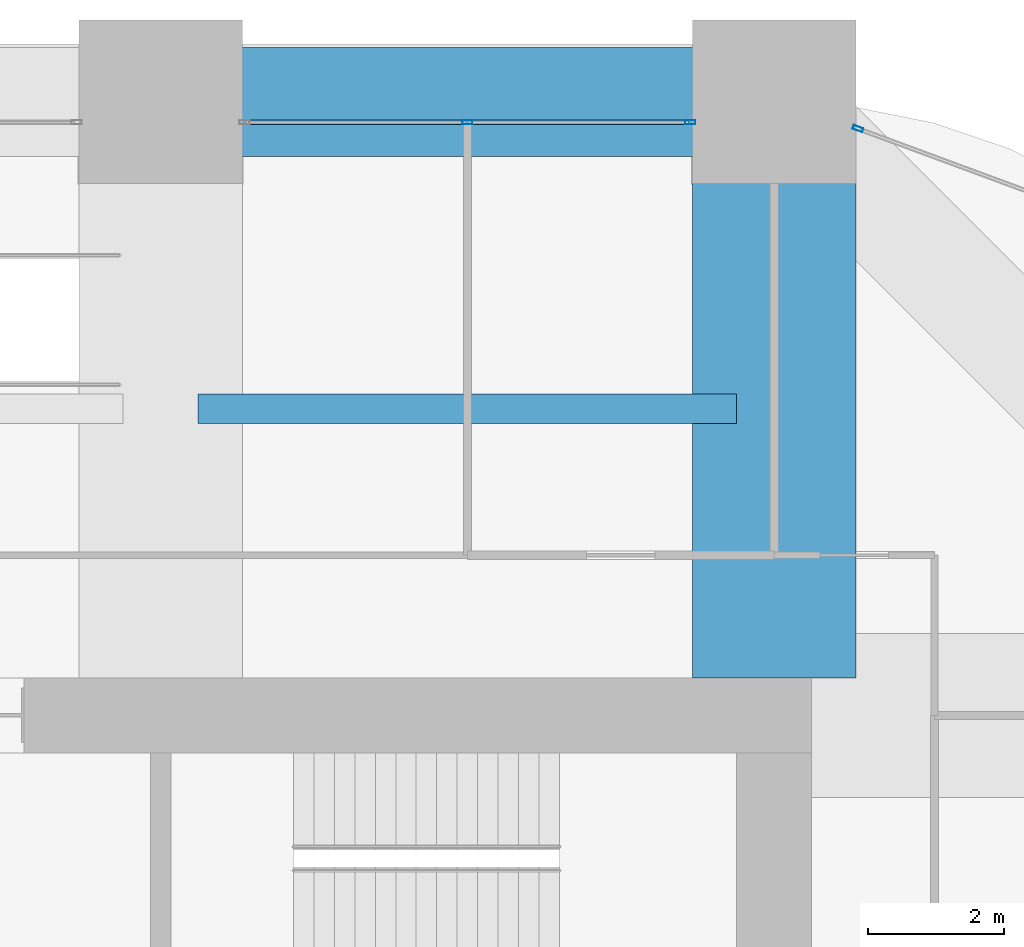
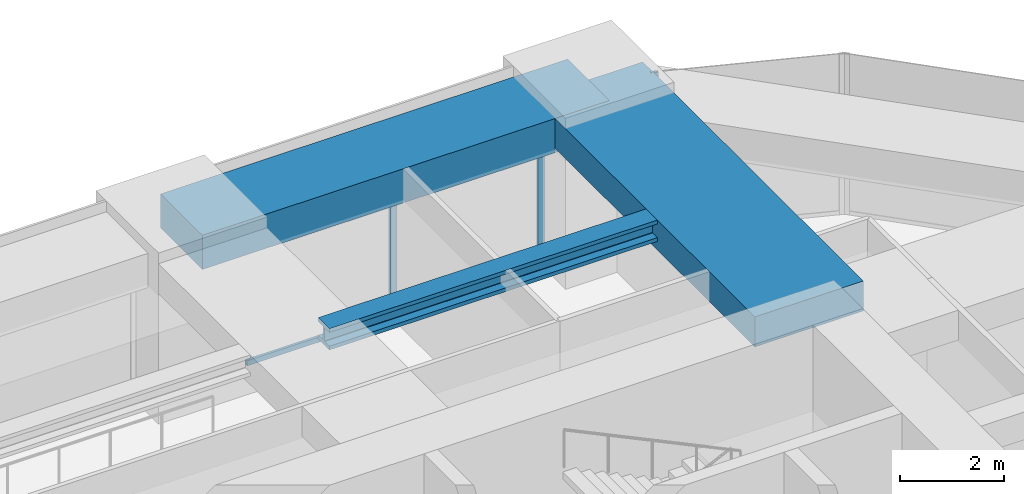
# One storey, part 26 of 35: 4 members, 3 beams, 2 elements without a shape of their own.
"""IFC4 building model written with IfcOpenShell, lengths in metres."""

from ifc_helpers import new_model, si_unit, direction, frame, origin, origin_2d, place, context, subcontext, project, spatial, rectangle, hollow_rectangle, i_section, extrude, material, material_profile, profile_set, type_object, element, aggregate, save


model = new_model("IFC4")

# Units and contexts
model_context = context("Model", 3, precision=1e-05, world=origin(), true_north=direction((0.0, 1.0)))
body_context = subcontext(model_context, "Body", "Model", "MODEL_VIEW")
ifc_project = project(units=[si_unit("LENGTHUNIT", "METRE"), si_unit("AREAUNIT", "SQUARE_METRE"), si_unit("VOLUMEUNIT", "CUBIC_METRE"), si_unit("PLANEANGLEUNIT", "RADIAN"), si_unit("MASSUNIT", "GRAM", prefix="KILO")], contexts=[model_context])

# Site, building, storey
site_placement = place(None, origin())
site = spatial("IfcSite", under=ifc_project, at=site_placement, CompositionType="ELEMENT")
building_placement = place(site_placement, origin())
building = spatial("IfcBuilding", under=site, at=building_placement, Name="Zorevar Civic Tower", CompositionType="ELEMENT")
storey_placement = place(building_placement, frame((0.0, 0.0, 218.199951171875)))
storey = spatial("IfcBuildingStorey", under=building, at=storey_placement, Name="L53", CompositionType="ELEMENT", Elevation=218.199951171875)

# Beam
ifc_material_1 = material(Name="Concrete C50/60", Category="concrete")
ifc_material_profile_1 = material_profile(ifc_material_1, rectangle(XDim=2.39990234375, YDim=0.699951171875, at=origin_2d()), Name="RC 2400x700")
ifc_profile_set_1 = profile_set([ifc_material_profile_1], Name="Concrete C50/60")
beam_type_1 = type_object("IfcBeamType", Name="Beam RC 2400x700", PredefinedType="BEAM", material=ifc_profile_set_1)
beam_1_placement = place(storey_placement, frame((45.0, 36.550048828125, 3.400146484375), z_axis=(0.0, 1.0, 0.0), x_axis=(-1.0, 0.0, 0.0)))
element("IfcBeam", 1, at=beam_1_placement, inside=storey, type_object=beam_type_1, Name="Girder L54", PredefinedType="BEAM", context=body_context, shape_type="SweptSolid", body=[
    extrude(rectangle(XDim=2.39990234375, YDim=0.699951171875, at=origin_2d()), origin(), (0.0, 0.0, 1.0), 8.449951171875),
])

# Curtain wall, members
ifc_material_2 = material(Name="Dark grey solar-control glass in black aluminium frame", Category="aluminium")
curtain_wall_type = type_object("IfcCurtainWallType", Name="Curtain wall CW4 high zone", PredefinedType="NOTDEFINED", material=ifc_material_2)
curtain_wall_1_placement = place(storey_placement, origin())
curtain_wall_1 = element("IfcCurtainWall", 2, at=curtain_wall_1_placement, inside=storey, type_object=curtain_wall_type, Name="CW4 L53", PredefinedType="NOTDEFINED")
ifc_material_3 = material(Name="Aluminium, black anodised", Category="aluminium")
ifc_material_profile_2 = material_profile(ifc_material_3, hollow_rectangle(XDim=0.06005859375, YDim=0.14990234375, WallThickness=0.00390625, at=origin_2d()), Name="AL 150x60x4")
ifc_profile_set_2 = profile_set([ifc_material_profile_2], Name="Aluminium, black anodised")
member_type_1 = type_object("IfcMemberType", Name="CW4 mullion AL 150x60x4", PredefinedType="MULLION", material=ifc_profile_set_2)
member_1_placement = place(storey_placement, frame((40.5, 44.699951171875, 0.06005859375), z_axis=(0.0, 0.0, 1.0), x_axis=(0.0, 1.0, 0.0)))
member_1 = element("IfcMember", 3, at=member_1_placement, type_object=member_type_1, Name="CW4 mullion 2", PredefinedType="MULLION", context=body_context, shape_type="SweptSolid", body=[
    extrude(hollow_rectangle(XDim=0.06005859375, YDim=0.14990234375, WallThickness=0.00390625, at=origin_2d()), origin(), (0.0, 0.0, 1.0), 2.889892578125),
])
member_2_placement = place(storey_placement, frame((43.77001953125, 44.699951171875, 0.0), z_axis=(0.0, 0.0, 1.0), x_axis=(0.0, 1.0, 0.0)))
member_2 = element("IfcMember", 4, at=member_2_placement, type_object=member_type_1, Name="CW4 mullion 3", PredefinedType="MULLION", context=body_context, shape_type="SweptSolid", body=[
    extrude(hollow_rectangle(XDim=0.06005859375, YDim=0.14990234375, WallThickness=0.00390625, at=origin_2d()), origin(), (0.0, 0.0, 1.0), 2.949951171875),
])

# Curtain wall, member
curtain_wall_2_placement = place(storey_placement, origin())
curtain_wall_2 = element("IfcCurtainWall", 5, at=curtain_wall_2_placement, inside=storey, type_object=curtain_wall_type, Name="CW4 L53", PredefinedType="NOTDEFINED")
member_3_placement = place(storey_placement, frame((46.22802734375, 44.6064453125, 0.0), z_axis=(0.0, 0.0, 1.0), x_axis=(-0.346704012033, -0.937974588163, 0.0)))
member_3 = element("IfcMember", 6, at=member_3_placement, type_object=member_type_1, Name="CW4 mullion 2", PredefinedType="MULLION", context=body_context, shape_type="SweptSolid", body=[
    extrude(hollow_rectangle(XDim=0.06005859375, YDim=0.14990234375, WallThickness=0.00390625, at=origin_2d()), origin(), (0.0, 0.0, 1.0), 3.75),
])
aggregate(curtain_wall_2, [member_3])

# Member
ifc_material_4 = material(Name="Aluminium, black anodised", Category="aluminium")
ifc_material_profile_3 = material_profile(ifc_material_4, hollow_rectangle(XDim=0.06005859375, YDim=0.1201171875, WallThickness=0.0029296875, at=origin_2d()), Name="AL 120x60x3")
ifc_profile_set_3 = profile_set([ifc_material_profile_3], Name="Aluminium, black anodised")
member_type_2 = type_object("IfcMemberType", Name="CW4 transom AL 120x60x3", PredefinedType="USERDEFINED", material=ifc_profile_set_3)
member_4_placement = place(storey_placement, frame((37.260009765625, 44.699951171875, 0.030029296875), z_axis=(1.0, 0.0, 0.0), x_axis=(0.0, 1.0, 0.0)))
member_4 = element("IfcMember", 7, at=member_4_placement, type_object=member_type_2, Name="CW4 sill transom", ObjectType="TRANSOM", PredefinedType="USERDEFINED", context=body_context, shape_type="SweptSolid", body=[
    extrude(hollow_rectangle(XDim=0.06005859375, YDim=0.1201171875, WallThickness=0.0029296875, at=origin_2d()), origin(), (0.0, 0.0, 1.0), 6.47998046875),
])

aggregate(curtain_wall_1, [member_1, member_2, member_4])

# Beams
ifc_material_5 = material(Name="Steel S460M (HISTAR 460)", Category="steel")
ifc_material_profile_4 = material_profile(ifc_material_5, i_section(OverallWidth=0.431884765625, OverallDepth=0.498046875, WebThickness=0.0556640625, FlangeThickness=0.0888671875, FilletRadius=0.014892578125, at=origin_2d()), Name="HD 400x744")
ifc_profile_set_4 = profile_set([ifc_material_profile_4], Name="Steel S460M (HISTAR 460)")
beam_type_2 = type_object("IfcBeamType", Name="Core bay beam HD 400x744", PredefinedType="BEAM", material=ifc_profile_set_4)
beam_2_placement = place(storey_placement, frame((36.550048828125, 40.5, 3.5009765625), z_axis=(1.0, 0.0, 0.0), x_axis=(0.0, 1.0, 0.0)))
element("IfcBeam", 8, at=beam_2_placement, inside=storey, type_object=beam_type_2, Name="Secondary beam L54", PredefinedType="BEAM", context=body_context, shape_type="SweptSolid", body=[
    extrude(i_section(OverallWidth=0.431884765625, OverallDepth=0.498046875, WebThickness=0.0556640625, FlangeThickness=0.0888671875, FilletRadius=0.014892578125, at=origin_2d()), origin(), (0.0, 0.0, 1.0), 7.89990234375),
])
ifc_material_6 = material(Name="Concrete C50/60", Category="concrete")
ifc_material_profile_5 = material_profile(ifc_material_6, rectangle(XDim=1.60009765625, YDim=0.800048828125, at=origin_2d()), Name="RC 1600x800")
ifc_profile_set_5 = profile_set([ifc_material_profile_5], Name="Concrete C50/60")
beam_type_3 = type_object("IfcBeamType", Name="Edge beam RC 1600x800", PredefinedType="SPANDREL", material=ifc_profile_set_5)
beam_3_placement = place(storey_placement, frame((36.0, 45.0, 3.35009765625), z_axis=(1.0, 0.0, 0.0), x_axis=(0.0, 1.0, 0.0)))
element("IfcBeam", 9, at=beam_3_placement, inside=storey, type_object=beam_type_3, Name="Edge beam L54", PredefinedType="SPANDREL", context=body_context, shape_type="SweptSolid", body=[
    extrude(rectangle(XDim=1.60009765625, YDim=0.800048828125, at=origin_2d()), origin(), (0.0, 0.0, 1.0), 9.0),
])

save(model, "model.ifc")
